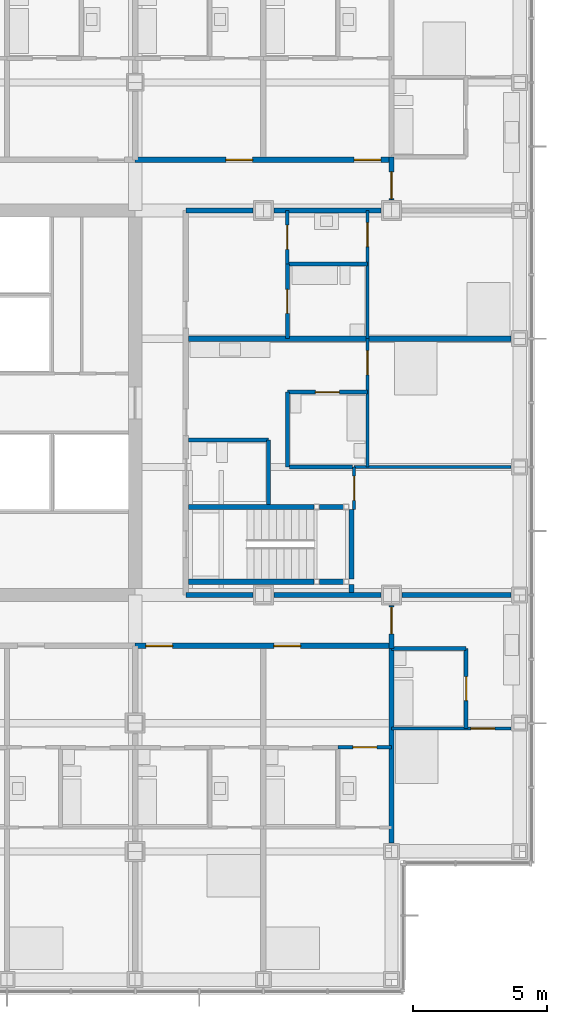
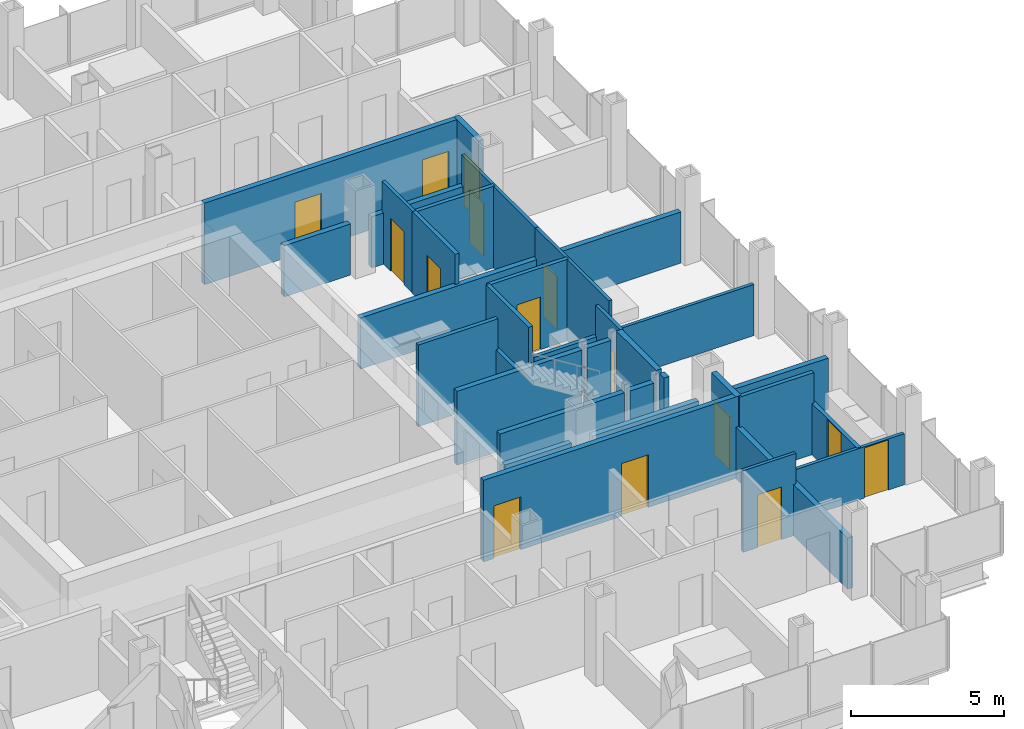
# One storey, part 17 of 22: 33 walls, 15 doors, 15 openings.
"""IFC4 building model written with IfcOpenShell, lengths in metres."""

from ifc_helpers import new_model, si_unit, direction, frame, frame_2d, origin, place, context, subcontext, project, spatial, rectangle, extrude, material, layer, layer_set, type_object, element, fill, save


model = new_model("IFC4")

# Units and contexts
model_context = context("Model", 3, precision=1e-05, world=origin(), true_north=direction((0.0, 1.0)))
body_context = subcontext(model_context, "Body", "Model", "MODEL_VIEW")
ifc_project = project(units=[si_unit("LENGTHUNIT", "METRE"), si_unit("AREAUNIT", "SQUARE_METRE"), si_unit("VOLUMEUNIT", "CUBIC_METRE"), si_unit("PLANEANGLEUNIT", "RADIAN"), si_unit("MASSUNIT", "GRAM", prefix="KILO")], contexts=[model_context])

# Site, building, storey
site_placement = place(None, origin())
site = spatial("IfcSite", under=ifc_project, at=site_placement, CompositionType="ELEMENT")
building_placement = place(site_placement, origin())
building = spatial("IfcBuilding", under=site, at=building_placement, Name="Kvirike Care Tower", CompositionType="ELEMENT")
storey_placement = place(building_placement, frame((0.0, 0.0, 76.0)))
storey = spatial("IfcBuildingStorey", under=building, at=storey_placement, Name="L20", CompositionType="ELEMENT", Elevation=76.0)

# Wall, opening, door
ifc_material_1 = material(Name="Moisture-resistant board partition", Category="gypsum")
ifc_layer_1 = layer(ifc_material_1, 0.14990234375)
ifc_layer_set_1 = layer_set([ifc_layer_1], Name="BATHROOM WALL 150")
wall_type_1 = type_object("IfcWallType", Name="BATHROOM WALL 150", PredefinedType="PARTITIONING", material=ifc_layer_set_1)
wall_1_placement = place(storey_placement, frame((41.199951171875, 23.800048828125, 0.0), z_axis=(0.0, 0.0, 1.0), x_axis=(0.0, 1.0, 0.0)))
wall_1 = element("IfcWall", 1, at=wall_1_placement, inside=storey, type_object=wall_type_1, Name="Bathroom Wall 150 L20", PredefinedType="PARTITIONING", context=body_context, shape_type="SweptSolid", body=[
    extrude(rectangle(XDim=3.0, YDim=0.14990234375, at=frame_2d((1.5, 0.0))), origin(), (0.0, 0.0, 1.0), 2.0400390625),
])
opening_1_placement = place(wall_1_placement, frame((1.050048828125, 0.0, 0.0)))
opening_1 = element("IfcOpeningElement", 2, at=opening_1_placement, cuts=wall_1, Name="Opening 20-061", PredefinedType="OPENING", context=body_context, shape_type="SweptSolid", body=[
    extrude(rectangle(XDim=0.89990234375, YDim=2.0, at=frame_2d((0.449951171875, 1.0))), frame((0.0, 0.08544921875, 0.0), z_axis=(0.0, -1.0, 0.0), x_axis=(1.0, 0.0, 0.0)), (0.0, 0.0, 1.0), 0.1708984375),
])
ifc_material_2 = material(Name="Timber door set", Category="wood")
door_type_1 = type_object("IfcDoorType", Name="BATHROOM DOOR 900 x 2000", OperationType="SINGLE_SWING_RIGHT", PredefinedType="DOOR", material=ifc_material_2)
door_1_placement = place(opening_1_placement, origin())
door_1 = element("IfcDoor", 3, at=door_1_placement, inside=storey, type_object=door_type_1, Name="Bathroom door", OperationType="SINGLE_SWING_RIGHT", OverallHeight=2.0, OverallWidth=0.89990234375, PredefinedType="DOOR", context=body_context, shape_type="SweptSolid", body=[
    extrude(rectangle(XDim=0.89990234375, YDim=2.0, at=frame_2d((0.449951171875, 1.0))), frame((0.0, 0.02197265625, 0.0), z_axis=(0.0, -1.0, 0.0), x_axis=(1.0, 0.0, 0.0)), (0.0, 0.0, 1.0), 0.0439453125),
])
fill(opening_1, door_1)

# Walls
wall_2_placement = place(storey_placement, frame((38.39990234375, 26.800048828125, 0.0), z_axis=(0.0, 0.0, 1.0), x_axis=(1.0, 0.0, 0.0)))
element("IfcWall", 4, at=wall_2_placement, inside=storey, type_object=wall_type_1, Name="Bathroom Wall 150 L20", PredefinedType="PARTITIONING", context=body_context, shape_type="SweptSolid", body=[
    extrude(rectangle(XDim=2.800048828125, YDim=0.14990234375, at=frame_2d((1.39990234375, 0.0))), origin(), (0.0, 0.0, 1.0), 3.25),
])
wall_3_placement = place(storey_placement, frame((33.800048828125, 32.199951171875, 0.0), z_axis=(0.0, 0.0, 1.0), x_axis=(0.0, 1.0, 0.0)))
element("IfcWall", 5, at=wall_3_placement, inside=storey, type_object=wall_type_1, Name="Bathroom Wall 150 L20", PredefinedType="PARTITIONING", context=body_context, shape_type="SweptSolid", body=[
    extrude(rectangle(XDim=2.400146484375, YDim=0.14990234375, at=frame_2d((1.2001953125, 0.0))), origin(), (0.0, 0.0, 1.0), 2.0400390625),
])
wall_4_placement = place(storey_placement, frame((33.800048828125, 34.60009765625, 0.0), z_axis=(0.0, 0.0, 1.0), x_axis=(-1.0, 0.0, 0.0)))
element("IfcWall", 6, at=wall_4_placement, inside=storey, type_object=wall_type_1, Name="Bathroom Wall 150 L20", PredefinedType="PARTITIONING", context=body_context, shape_type="SweptSolid", body=[
    extrude(rectangle(XDim=3.0, YDim=0.14990234375, at=frame_2d((1.5, 0.0))), origin(), (0.0, 0.0, 1.0), 3.25),
])

# Wall, opening, door
wall_5_placement = place(storey_placement, frame((37.5, 36.39990234375, 0.0), z_axis=(0.0, 0.0, 1.0), x_axis=(-1.0, 0.0, 0.0)))
wall_5 = element("IfcWall", 7, at=wall_5_placement, inside=storey, type_object=wall_type_1, Name="Bathroom Wall 150 L20", PredefinedType="PARTITIONING", context=body_context, shape_type="SweptSolid", body=[
    extrude(rectangle(XDim=3.0, YDim=0.14990234375, at=frame_2d((1.5, 0.0))), origin(), (0.0, 0.0, 1.0), 3.25),
])
opening_2_placement = place(wall_5_placement, frame((1.050048828125, 0.0, 0.0)))
opening_2 = element("IfcOpeningElement", 8, at=opening_2_placement, cuts=wall_5, Name="Opening 20-066", PredefinedType="OPENING", context=body_context, shape_type="SweptSolid", body=[
    extrude(rectangle(XDim=0.89990234375, YDim=2.10009765625, at=frame_2d((0.449951171875, 1.050048828125))), frame((0.0, 0.08544921875, 0.0), z_axis=(0.0, -1.0, 0.0), x_axis=(1.0, 0.0, 0.0)), (0.0, 0.0, 1.0), 0.1708984375),
])
ifc_material_3 = material(Name="Timber door set", Category="wood")
door_type_2 = type_object("IfcDoorType", Name="BATHROOM DOOR 900", OperationType="SINGLE_SWING_RIGHT", PredefinedType="DOOR", material=ifc_material_3)
door_2_placement = place(opening_2_placement, origin())
door_2 = element("IfcDoor", 9, at=door_2_placement, inside=storey, type_object=door_type_2, Name="Bathroom door", OperationType="SINGLE_SWING_LEFT", OverallHeight=2.10009765625, OverallWidth=0.89990234375, PredefinedType="DOOR", context=body_context, shape_type="SweptSolid", body=[
    extrude(rectangle(XDim=0.89990234375, YDim=2.10009765625, at=frame_2d((0.449951171875, 1.050048828125))), frame((0.0, 0.02197265625, 0.0), z_axis=(0.0, -1.0, 0.0), x_axis=(1.0, 0.0, 0.0)), (0.0, 0.0, 1.0), 0.0439453125),
])
fill(opening_2, door_2)

# Walls
wall_6_placement = place(storey_placement, frame((34.5, 33.60009765625, 0.0), z_axis=(0.0, 0.0, 1.0), x_axis=(0.0, 1.0, 0.0)))
element("IfcWall", 10, at=wall_6_placement, inside=storey, type_object=wall_type_1, Name="Bathroom Wall 150 L20", PredefinedType="PARTITIONING", context=body_context, shape_type="SweptSolid", body=[
    extrude(rectangle(XDim=2.7998046875, YDim=0.14990234375, at=frame_2d((1.39990234375, 0.0))), origin(), (0.0, 0.0, 1.0), 3.25),
])
wall_7_placement = place(storey_placement, frame((37.5, 41.199951171875, 0.0), z_axis=(0.0, 0.0, 1.0), x_axis=(-1.0, 0.0, 0.0)))
element("IfcWall", 11, at=wall_7_placement, inside=storey, type_object=wall_type_1, Name="Bathroom Wall 150 L20", PredefinedType="PARTITIONING", context=body_context, shape_type="SweptSolid", body=[
    extrude(rectangle(XDim=3.0, YDim=0.14990234375, at=frame_2d((1.5, 0.0))), origin(), (0.0, 0.0, 1.0), 3.25),
])

# Wall, opening, door
wall_8_placement = place(storey_placement, frame((34.5, 38.39990234375, 0.0), z_axis=(0.0, 0.0, 1.0), x_axis=(0.0, 1.0, 0.0)))
wall_8 = element("IfcWall", 12, at=wall_8_placement, inside=storey, type_object=wall_type_1, Name="Bathroom Wall 150 L20", PredefinedType="PARTITIONING", context=body_context, shape_type="SweptSolid", body=[
    extrude(rectangle(XDim=2.800048828125, YDim=0.14990234375, at=frame_2d((1.39990234375, 0.0))), origin(), (0.0, 0.0, 1.0), 3.25),
])
opening_3_placement = place(wall_8_placement, frame((0.949951171875, 0.0, 0.0)))
opening_3 = element("IfcOpeningElement", 13, at=opening_3_placement, cuts=wall_8, Name="Opening 20-069", PredefinedType="OPENING", context=body_context, shape_type="SweptSolid", body=[
    extrude(rectangle(XDim=0.89990234375, YDim=2.10009765625, at=frame_2d((0.449951171875, 1.050048828125))), frame((0.0, 0.08544921875, 0.0), z_axis=(0.0, -1.0, 0.0), x_axis=(1.0, 0.0, 0.0)), (0.0, 0.0, 1.0), 0.1708984375),
])
door_3_placement = place(opening_3_placement, frame((0.89990234375, 0.0, 0.0), z_axis=(0.0, 0.0, 1.0), x_axis=(-1.0, 0.0, 0.0)))
door_3 = element("IfcDoor", 14, at=door_3_placement, inside=storey, type_object=door_type_2, Name="Bathroom door", OperationType="SINGLE_SWING_LEFT", OverallHeight=2.10009765625, OverallWidth=0.89990234375, PredefinedType="DOOR", context=body_context, shape_type="SweptSolid", body=[
    extrude(rectangle(XDim=0.89990234375, YDim=2.10009765625, at=frame_2d((0.449951171875, 1.050048828125))), frame((0.0, 0.02197265625, 0.0), z_axis=(0.0, -1.0, 0.0), x_axis=(1.0, 0.0, 0.0)), (0.0, 0.0, 1.0), 0.0439453125),
])
fill(opening_3, door_3)

# Wall
wall_9_placement = place(storey_placement, frame((36.93994140625, 33.60009765625, 0.0), z_axis=(0.0, 0.0, 1.0), x_axis=(-1.0, 0.0, 0.0)))
element("IfcWall", 15, at=wall_9_placement, inside=storey, type_object=wall_type_1, Name="Bathroom Wall 150 L20", PredefinedType="PARTITIONING", context=body_context, shape_type="SweptSolid", body=[
    extrude(rectangle(XDim=2.364990234375, YDim=0.14990234375, at=frame_2d((1.1826171875, 0.0))), origin(), (0.0, 0.0, 1.0), 2.0400390625),
])

# Wall, openings, doors
ifc_material_4 = material(Name="Plasterboard corridor wall", Category="gypsum")
ifc_layer_2 = layer(ifc_material_4, 0.199951171875)
ifc_layer_set_2 = layer_set([ifc_layer_2], Name="CORRIDOR WALL 200")
wall_type_2 = type_object("IfcWallType", Name="CORRIDOR WALL 200", PredefinedType="PARTITIONING", material=ifc_layer_set_2)
wall_10_placement = place(storey_placement, frame((28.800048828125, 26.89990234375, 0.0), z_axis=(0.0, 0.0, 1.0), x_axis=(1.0, 0.0, 0.0)))
wall_10 = element("IfcWall", 16, at=wall_10_placement, inside=storey, type_object=wall_type_2, Name="Corridor Wall 200 L20", PredefinedType="PARTITIONING", context=body_context, shape_type="SweptSolid", body=[
    extrude(rectangle(XDim=9.599853515625, YDim=0.199951171875, at=frame_2d((4.7998046875, 0.0))), origin(), (0.0, 0.0, 1.0), 3.25),
])
opening_4_placement = place(wall_10_placement, frame((0.39990234375, 0.0, 0.0)))
opening_4 = element("IfcOpeningElement", 17, at=opening_4_placement, cuts=wall_10, Name="Opening 20-063", PredefinedType="OPENING", context=body_context, shape_type="SweptSolid", body=[
    extrude(rectangle(XDim=1.0, YDim=2.10009765625, at=frame_2d((0.5, 1.050048828125))), frame((0.0, 0.110595703125, 0.0), z_axis=(0.0, -1.0, 0.0), x_axis=(1.0, 0.0, 0.0)), (0.0, 0.0, 1.0), 0.220947265625),
])
opening_5_placement = place(wall_10_placement, frame((5.199951171875, 0.0, 0.0)))
opening_5 = element("IfcOpeningElement", 18, at=opening_5_placement, cuts=wall_10, Name="Opening 20-064", PredefinedType="OPENING", context=body_context, shape_type="SweptSolid", body=[
    extrude(rectangle(XDim=1.0, YDim=2.10009765625, at=frame_2d((0.5, 1.050048828125))), frame((0.0, 0.110595703125, 0.0), z_axis=(0.0, -1.0, 0.0), x_axis=(1.0, 0.0, 0.0)), (0.0, 0.0, 1.0), 0.220947265625),
])
ifc_material_5 = material(Name="Timber door set", Category="wood")
door_type_3 = type_object("IfcDoorType", Name="FLAT ENTRANCE DOOR 1000", OperationType="SINGLE_SWING_LEFT", PredefinedType="DOOR", material=ifc_material_5)
door_4_placement = place(opening_4_placement, frame((1.0, 0.0, 0.0), z_axis=(0.0, 0.0, 1.0), x_axis=(-1.0, 0.0, 0.0)))
door_4 = element("IfcDoor", 19, at=door_4_placement, inside=storey, type_object=door_type_3, Name="Studio apartment entrance", OperationType="SINGLE_SWING_RIGHT", OverallHeight=2.10009765625, OverallWidth=1.0, PredefinedType="DOOR", context=body_context, shape_type="SweptSolid", body=[
    extrude(rectangle(XDim=1.0, YDim=2.10009765625, at=frame_2d((0.5, 1.050048828125))), frame((0.0, 0.02685546875, 0.0), z_axis=(0.0, -1.0, 0.0), x_axis=(1.0, 0.0, 0.0)), (0.0, 0.0, 1.0), 0.053955078125),
])
fill(opening_4, door_4)
door_5_placement = place(opening_5_placement, frame((1.0, 0.0, 0.0), z_axis=(0.0, 0.0, 1.0), x_axis=(-1.0, 0.0, 0.0)))
door_5 = element("IfcDoor", 20, at=door_5_placement, inside=storey, type_object=door_type_3, Name="Studio apartment entrance", OperationType="SINGLE_SWING_LEFT", OverallHeight=2.10009765625, OverallWidth=1.0, PredefinedType="DOOR", context=body_context, shape_type="SweptSolid", body=[
    extrude(rectangle(XDim=1.0, YDim=2.10009765625, at=frame_2d((0.5, 1.050048828125))), frame((0.0, 0.02685546875, 0.0), z_axis=(0.0, -1.0, 0.0), x_axis=(1.0, 0.0, 0.0)), (0.0, 0.0, 1.0), 0.053955078125),
])
fill(opening_5, door_5)

# Wall, opening, door
wall_11_placement = place(storey_placement, frame((38.39990234375, 26.800048828125, 0.0), z_axis=(0.0, 0.0, 1.0), x_axis=(0.0, 1.0, 0.0)))
wall_11 = element("IfcWall", 21, at=wall_11_placement, inside=storey, type_object=wall_type_2, Name="Corridor Wall 200 L20", PredefinedType="PARTITIONING", context=body_context, shape_type="SweptSolid", body=[
    extrude(rectangle(XDim=1.60498046875, YDim=0.199951171875, at=frame_2d((0.802490234375, 0.0))), origin(), (0.0, 0.0, 1.0), 3.25),
])
opening_6_placement = place(wall_11_placement, frame((0.550048828125, 0.0, 0.0)))
opening_6 = element("IfcOpeningElement", 22, at=opening_6_placement, cuts=wall_11, Name="Opening 20-065", PredefinedType="OPENING", context=body_context, shape_type="SweptSolid", body=[
    extrude(rectangle(XDim=1.0, YDim=2.10009765625, at=frame_2d((0.5, 1.050048828125))), frame((0.0, 0.110595703125, 0.0), z_axis=(0.0, -1.0, 0.0), x_axis=(1.0, 0.0, 0.0)), (0.0, 0.0, 1.0), 0.220947265625),
])
door_6_placement = place(opening_6_placement, frame((1.0, 0.0, 0.0), z_axis=(0.0, 0.0, 1.0), x_axis=(-1.0, 0.0, 0.0)))
door_6 = element("IfcDoor", 23, at=door_6_placement, inside=storey, type_object=door_type_3, Name="Studio apartment entrance", OperationType="SINGLE_SWING_RIGHT", OverallHeight=2.10009765625, OverallWidth=1.0, PredefinedType="DOOR", context=body_context, shape_type="SweptSolid", body=[
    extrude(rectangle(XDim=1.0, YDim=2.10009765625, at=frame_2d((0.5, 1.050048828125))), frame((0.0, 0.02685546875, 0.0), z_axis=(0.0, -1.0, 0.0), x_axis=(1.0, 0.0, 0.0)), (0.0, 0.0, 1.0), 0.053955078125),
])
fill(opening_6, door_6)

# Wall, openings, doors
wall_12_placement = place(storey_placement, frame((38.39990234375, 45.10009765625, 0.0), z_axis=(0.0, 0.0, 1.0), x_axis=(-1.0, 0.0, 0.0)))
wall_12 = element("IfcWall", 24, at=wall_12_placement, inside=storey, type_object=wall_type_2, Name="Corridor Wall 200 L20", PredefinedType="PARTITIONING", context=body_context, shape_type="SweptSolid", body=[
    extrude(rectangle(XDim=9.599853515625, YDim=0.199951171875, at=frame_2d((4.7998046875, 0.0))), origin(), (0.0, 0.0, 1.0), 3.25),
])
opening_7_placement = place(wall_12_placement, frame((0.39990234375, 0.0, 0.0)))
opening_7 = element("IfcOpeningElement", 25, at=opening_7_placement, cuts=wall_12, Name="Opening 20-084", PredefinedType="OPENING", context=body_context, shape_type="SweptSolid", body=[
    extrude(rectangle(XDim=1.0, YDim=2.10009765625, at=frame_2d((0.5, 1.050048828125))), frame((0.0, 0.110595703125, 0.0), z_axis=(0.0, -1.0, 0.0), x_axis=(1.0, 0.0, 0.0)), (0.0, 0.0, 1.0), 0.220947265625),
])
opening_8_placement = place(wall_12_placement, frame((5.199951171875, 0.0, 0.0)))
opening_8 = element("IfcOpeningElement", 26, at=opening_8_placement, cuts=wall_12, Name="Opening 20-085", PredefinedType="OPENING", context=body_context, shape_type="SweptSolid", body=[
    extrude(rectangle(XDim=1.0, YDim=2.10009765625, at=frame_2d((0.5, 1.050048828125))), frame((0.0, 0.110595703125, 0.0), z_axis=(0.0, -1.0, 0.0), x_axis=(1.0, 0.0, 0.0)), (0.0, 0.0, 1.0), 0.220947265625),
])
door_7_placement = place(opening_7_placement, frame((1.0, 0.0, 0.0), z_axis=(0.0, 0.0, 1.0), x_axis=(-1.0, 0.0, 0.0)))
door_7 = element("IfcDoor", 27, at=door_7_placement, inside=storey, type_object=door_type_3, Name="Studio apartment entrance", OperationType="SINGLE_SWING_LEFT", OverallHeight=2.10009765625, OverallWidth=1.0, PredefinedType="DOOR", context=body_context, shape_type="SweptSolid", body=[
    extrude(rectangle(XDim=1.0, YDim=2.10009765625, at=frame_2d((0.5, 1.050048828125))), frame((0.0, 0.02685546875, 0.0), z_axis=(0.0, -1.0, 0.0), x_axis=(1.0, 0.0, 0.0)), (0.0, 0.0, 1.0), 0.053955078125),
])
fill(opening_7, door_7)
door_8_placement = place(opening_8_placement, frame((1.0, 0.0, 0.0), z_axis=(0.0, 0.0, 1.0), x_axis=(-1.0, 0.0, 0.0)))
door_8 = element("IfcDoor", 28, at=door_8_placement, inside=storey, type_object=door_type_3, Name="Studio apartment entrance", OperationType="SINGLE_SWING_LEFT", OverallHeight=2.10009765625, OverallWidth=1.0, PredefinedType="DOOR", context=body_context, shape_type="SweptSolid", body=[
    extrude(rectangle(XDim=1.0, YDim=2.10009765625, at=frame_2d((0.5, 1.050048828125))), frame((0.0, 0.02685546875, 0.0), z_axis=(0.0, -1.0, 0.0), x_axis=(1.0, 0.0, 0.0)), (0.0, 0.0, 1.0), 0.053955078125),
])
fill(opening_8, door_8)

# Wall, opening, door
wall_13_placement = place(storey_placement, frame((38.39990234375, 45.199951171875, 0.0), z_axis=(0.0, 0.0, 1.0), x_axis=(0.0, -1.0, 0.0)))
wall_13 = element("IfcWall", 29, at=wall_13_placement, inside=storey, type_object=wall_type_2, Name="Corridor Wall 200 L20", PredefinedType="PARTITIONING", context=body_context, shape_type="SweptSolid", body=[
    extrude(rectangle(XDim=1.60498046875, YDim=0.199951171875, at=frame_2d((0.802490234375, 0.0))), origin(), (0.0, 0.0, 1.0), 3.25),
])
opening_9_placement = place(wall_13_placement, frame((0.550048828125, 0.0, 0.0)))
opening_9 = element("IfcOpeningElement", 30, at=opening_9_placement, cuts=wall_13, Name="Opening 20-086", PredefinedType="OPENING", context=body_context, shape_type="SweptSolid", body=[
    extrude(rectangle(XDim=1.0, YDim=2.10009765625, at=frame_2d((0.5, 1.050048828125))), frame((0.0, 0.110595703125, 0.0), z_axis=(0.0, -1.0, 0.0), x_axis=(1.0, 0.0, 0.0)), (0.0, 0.0, 1.0), 0.220947265625),
])
door_9_placement = place(opening_9_placement, origin())
door_9 = element("IfcDoor", 31, at=door_9_placement, inside=storey, type_object=door_type_3, Name="Studio apartment entrance", OperationType="SINGLE_SWING_LEFT", OverallHeight=2.10009765625, OverallWidth=1.0, PredefinedType="DOOR", context=body_context, shape_type="SweptSolid", body=[
    extrude(rectangle(XDim=1.0, YDim=2.10009765625, at=frame_2d((0.5, 1.050048828125))), frame((0.0, 0.02685546875, 0.0), z_axis=(0.0, -1.0, 0.0), x_axis=(1.0, 0.0, 0.0)), (0.0, 0.0, 1.0), 0.053955078125),
])
fill(opening_9, door_9)

ifc_material_6 = material(Name="Plasterboard partition", Category="gypsum")
ifc_layer_3 = layer(ifc_material_6, 0.1201171875)
ifc_layer_set_3 = layer_set([ifc_layer_3], Name="PARTITION 120")
wall_type_3 = type_object("IfcWallType", Name="PARTITION 120", PredefinedType="PARTITIONING", material=ifc_layer_set_3)
wall_14_placement = place(storey_placement, frame((36.39990234375, 23.10009765625, 0.0), z_axis=(0.0, 0.0, 1.0), x_axis=(1.0, 0.0, 0.0)))
wall_14 = element("IfcWall", 32, at=wall_14_placement, inside=storey, type_object=wall_type_3, Name="Partition 120 L20", PredefinedType="PARTITIONING", context=body_context, shape_type="SweptSolid", body=[
    extrude(rectangle(XDim=2.0, YDim=0.1201171875, at=frame_2d((1.0, 0.0))), origin(), (0.0, 0.0, 1.0), 3.25),
])
opening_10_placement = place(wall_14_placement, frame((0.550048828125, 0.0, 0.0)))
opening_10 = element("IfcOpeningElement", 33, at=opening_10_placement, cuts=wall_14, Name="Opening 20-059", PredefinedType="OPENING", context=body_context, shape_type="SweptSolid", body=[
    extrude(rectangle(XDim=0.89990234375, YDim=2.10009765625, at=frame_2d((0.449951171875, 1.050048828125))), frame((0.0, 0.070556640625, 0.0), z_axis=(0.0, -1.0, 0.0), x_axis=(1.0, 0.0, 0.0)), (0.0, 0.0, 1.0), 0.14111328125),
])
ifc_material_7 = material(Name="Timber door set", Category="wood")
door_type_4 = type_object("IfcDoorType", Name="INTERNAL DOOR 900", OperationType="SINGLE_SWING_LEFT", PredefinedType="DOOR", material=ifc_material_7)
door_10_placement = place(opening_10_placement, frame((0.89990234375, 0.0, 0.0), z_axis=(0.0, 0.0, 1.0), x_axis=(-1.0, 0.0, 0.0)))
door_10 = element("IfcDoor", 34, at=door_10_placement, inside=storey, type_object=door_type_4, Name="Kitchen door", OperationType="SINGLE_SWING_RIGHT", OverallHeight=2.10009765625, OverallWidth=0.89990234375, PredefinedType="DOOR", context=body_context, shape_type="SweptSolid", body=[
    extrude(rectangle(XDim=0.89990234375, YDim=2.10009765625, at=frame_2d((0.449951171875, 1.050048828125))), frame((0.0, 0.02197265625, 0.0), z_axis=(0.0, -1.0, 0.0), x_axis=(1.0, 0.0, 0.0)), (0.0, 0.0, 1.0), 0.0439453125),
])
fill(opening_10, door_10)

wall_15_placement = place(storey_placement, frame((38.39990234375, 23.800048828125, 0.0), z_axis=(0.0, 0.0, 1.0), x_axis=(1.0, 0.0, 0.0)))
wall_15 = element("IfcWall", 35, at=wall_15_placement, inside=storey, type_object=wall_type_3, Name="Partition 120 L20", PredefinedType="PARTITIONING", context=body_context, shape_type="SweptSolid", body=[
    extrude(rectangle(XDim=4.47998046875, YDim=0.1201171875, at=frame_2d((2.239990234375, 0.0))), origin(), (0.0, 0.0, 1.0), 2.0400390625),
])
opening_11_placement = place(wall_15_placement, frame((2.97509765625, 0.0, 0.0)))
opening_11 = element("IfcOpeningElement", 36, at=opening_11_placement, cuts=wall_15, Name="Opening 20-062", PredefinedType="OPENING", context=body_context, shape_type="SweptSolid", body=[
    extrude(rectangle(XDim=0.89990234375, YDim=2.0, at=frame_2d((0.449951171875, 1.0))), frame((0.0, 0.070556640625, 0.0), z_axis=(0.0, -1.0, 0.0), x_axis=(1.0, 0.0, 0.0)), (0.0, 0.0, 1.0), 0.14111328125),
])
ifc_material_8 = material(Name="Timber door set", Category="wood")
door_type_5 = type_object("IfcDoorType", Name="INTERNAL DOOR 900 x 2000", OperationType="SINGLE_SWING_LEFT", PredefinedType="DOOR", material=ifc_material_8)
door_11_placement = place(opening_11_placement, origin())
door_11 = element("IfcDoor", 37, at=door_11_placement, inside=storey, type_object=door_type_5, Name="Studio apartment living room door", OperationType="SINGLE_SWING_RIGHT", OverallHeight=2.0, OverallWidth=0.89990234375, PredefinedType="DOOR", context=body_context, shape_type="SweptSolid", body=[
    extrude(rectangle(XDim=0.89990234375, YDim=2.0, at=frame_2d((0.449951171875, 1.0))), frame((0.0, 0.02197265625, 0.0), z_axis=(0.0, -1.0, 0.0), x_axis=(1.0, 0.0, 0.0)), (0.0, 0.0, 1.0), 0.0439453125),
])
fill(opening_11, door_11)

wall_16_placement = place(storey_placement, frame((37.0, 32.0, 0.0), z_axis=(0.0, 0.0, 1.0), x_axis=(0.0, 1.0, 0.0)))
wall_16 = element("IfcWall", 38, at=wall_16_placement, inside=storey, type_object=wall_type_3, Name="Partition 120 L20", PredefinedType="PARTITIONING", context=body_context, shape_type="SweptSolid", body=[
    extrude(rectangle(XDim=1.60009765625, YDim=0.1201171875, at=frame_2d((0.800048828125, 0.0))), origin(), (0.0, 0.0, 1.0), 3.25),
])
opening_12_placement = place(wall_16_placement, frame((0.35009765625, 0.0, 0.0)))
opening_12 = element("IfcOpeningElement", 39, at=opening_12_placement, cuts=wall_16, Name="Opening 20-067", PredefinedType="OPENING", context=body_context, shape_type="SweptSolid", body=[
    extrude(rectangle(XDim=0.89990234375, YDim=2.10009765625, at=frame_2d((0.449951171875, 1.050048828125))), frame((0.0, 0.070556640625, 0.0), z_axis=(0.0, -1.0, 0.0), x_axis=(1.0, 0.0, 0.0)), (0.0, 0.0, 1.0), 0.14111328125),
])
door_12_placement = place(opening_12_placement, origin())
door_12 = element("IfcDoor", 40, at=door_12_placement, inside=storey, type_object=door_type_4, Name="Apartment living room door", OperationType="SINGLE_SWING_RIGHT", OverallHeight=2.10009765625, OverallWidth=0.89990234375, PredefinedType="DOOR", context=body_context, shape_type="SweptSolid", body=[
    extrude(rectangle(XDim=0.89990234375, YDim=2.10009765625, at=frame_2d((0.449951171875, 1.050048828125))), frame((0.0, 0.02197265625, 0.0), z_axis=(0.0, -1.0, 0.0), x_axis=(1.0, 0.0, 0.0)), (0.0, 0.0, 1.0), 0.0439453125),
])
fill(opening_12, door_12)

wall_17_placement = place(storey_placement, frame((37.5, 33.60009765625, 0.0), z_axis=(0.0, 0.0, 1.0), x_axis=(0.0, 1.0, 0.0)))
wall_17 = element("IfcWall", 41, at=wall_17_placement, inside=storey, type_object=wall_type_3, Name="Partition 120 L20", PredefinedType="PARTITIONING", context=body_context, shape_type="SweptSolid", body=[
    extrude(rectangle(XDim=4.7998046875, YDim=0.1201171875, at=frame_2d((2.39990234375, 0.0))), origin(), (0.0, 0.0, 1.0), 3.25),
])
opening_13_placement = place(wall_17_placement, frame((3.449951171875, 0.0, 0.0)))
opening_13 = element("IfcOpeningElement", 42, at=opening_13_placement, cuts=wall_17, Name="Opening 20-068", PredefinedType="OPENING", context=body_context, shape_type="SweptSolid", body=[
    extrude(rectangle(XDim=0.89990234375, YDim=2.10009765625, at=frame_2d((0.449951171875, 1.050048828125))), frame((0.0, 0.070556640625, 0.0), z_axis=(0.0, -1.0, 0.0), x_axis=(1.0, 0.0, 0.0)), (0.0, 0.0, 1.0), 0.14111328125),
])
door_13_placement = place(opening_13_placement, origin())
door_13 = element("IfcDoor", 43, at=door_13_placement, inside=storey, type_object=door_type_4, Name="Apartment bedroom door", OperationType="SINGLE_SWING_LEFT", OverallHeight=2.10009765625, OverallWidth=0.89990234375, PredefinedType="DOOR", context=body_context, shape_type="SweptSolid", body=[
    extrude(rectangle(XDim=0.89990234375, YDim=2.10009765625, at=frame_2d((0.449951171875, 1.050048828125))), frame((0.0, 0.02197265625, 0.0), z_axis=(0.0, -1.0, 0.0), x_axis=(1.0, 0.0, 0.0)), (0.0, 0.0, 1.0), 0.0439453125),
])
fill(opening_13, door_13)

# Wall
wall_18_placement = place(storey_placement, frame((42.8798828125, 33.60009765625, 0.0), z_axis=(0.0, 0.0, 1.0), x_axis=(-1.0, 0.0, 0.0)))
element("IfcWall", 44, at=wall_18_placement, inside=storey, type_object=wall_type_3, Name="Partition 120 L20", PredefinedType="PARTITIONING", context=body_context, shape_type="SweptSolid", body=[
    extrude(rectangle(XDim=5.8798828125, YDim=0.1201171875, at=frame_2d((2.93994140625, 0.0))), origin(), (0.0, 0.0, 1.0), 2.0400390625),
])

# Wall, opening, door
wall_19_placement = place(storey_placement, frame((34.5, 41.199951171875, 0.0), z_axis=(0.0, 0.0, 1.0), x_axis=(0.0, 1.0, 0.0)))
wall_19 = element("IfcWall", 45, at=wall_19_placement, inside=storey, type_object=wall_type_3, Name="Partition 120 L20", PredefinedType="PARTITIONING", context=body_context, shape_type="SweptSolid", body=[
    extrude(rectangle(XDim=2.0, YDim=0.1201171875, at=frame_2d((1.0, 0.0))), origin(), (0.0, 0.0, 1.0), 3.25),
])
opening_14_placement = place(wall_19_placement, frame((0.550048828125, 0.0, 0.0)))
opening_14 = element("IfcOpeningElement", 46, at=opening_14_placement, cuts=wall_19, Name="Opening 20-070", PredefinedType="OPENING", context=body_context, shape_type="SweptSolid", body=[
    extrude(rectangle(XDim=0.89990234375, YDim=2.10009765625, at=frame_2d((0.449951171875, 1.050048828125))), frame((0.0, 0.070556640625, 0.0), z_axis=(0.0, -1.0, 0.0), x_axis=(1.0, 0.0, 0.0)), (0.0, 0.0, 1.0), 0.14111328125),
])
door_14_placement = place(opening_14_placement, frame((0.89990234375, 0.0, 0.0), z_axis=(0.0, 0.0, 1.0), x_axis=(-1.0, 0.0, 0.0)))
door_14 = element("IfcDoor", 47, at=door_14_placement, inside=storey, type_object=door_type_4, Name="Kitchen door", OperationType="SINGLE_SWING_LEFT", OverallHeight=2.10009765625, OverallWidth=0.89990234375, PredefinedType="DOOR", context=body_context, shape_type="SweptSolid", body=[
    extrude(rectangle(XDim=0.89990234375, YDim=2.10009765625, at=frame_2d((0.449951171875, 1.050048828125))), frame((0.0, 0.02197265625, 0.0), z_axis=(0.0, -1.0, 0.0), x_axis=(1.0, 0.0, 0.0)), (0.0, 0.0, 1.0), 0.0439453125),
])
fill(opening_14, door_14)

wall_20_placement = place(storey_placement, frame((37.5, 38.39990234375, 0.0), z_axis=(0.0, 0.0, 1.0), x_axis=(0.0, 1.0, 0.0)))
wall_20 = element("IfcWall", 48, at=wall_20_placement, inside=storey, type_object=wall_type_3, Name="Partition 120 L20", PredefinedType="PARTITIONING", context=body_context, shape_type="SweptSolid", body=[
    extrude(rectangle(XDim=4.800048828125, YDim=0.1201171875, at=frame_2d((2.39990234375, 0.0))), origin(), (0.0, 0.0, 1.0), 3.25),
])
opening_15_placement = place(wall_20_placement, frame((3.449951171875, 0.0, 0.0)))
opening_15 = element("IfcOpeningElement", 49, at=opening_15_placement, cuts=wall_20, Name="Opening 20-071", PredefinedType="OPENING", context=body_context, shape_type="SweptSolid", body=[
    extrude(rectangle(XDim=0.89990234375, YDim=2.10009765625, at=frame_2d((0.449951171875, 1.050048828125))), frame((0.0, 0.070556640625, 0.0), z_axis=(0.0, -1.0, 0.0), x_axis=(1.0, 0.0, 0.0)), (0.0, 0.0, 1.0), 0.14111328125),
])
door_15_placement = place(opening_15_placement, origin())
door_15 = element("IfcDoor", 50, at=door_15_placement, inside=storey, type_object=door_type_4, Name="Studio apartment living room door", OperationType="SINGLE_SWING_LEFT", OverallHeight=2.10009765625, OverallWidth=0.89990234375, PredefinedType="DOOR", context=body_context, shape_type="SweptSolid", body=[
    extrude(rectangle(XDim=0.89990234375, YDim=2.10009765625, at=frame_2d((0.449951171875, 1.050048828125))), frame((0.0, 0.02197265625, 0.0), z_axis=(0.0, -1.0, 0.0), x_axis=(1.0, 0.0, 0.0)), (0.0, 0.0, 1.0), 0.0439453125),
])
fill(opening_15, door_15)

# Walls
ifc_material_9 = material(Name="Plasterboard party wall", Category="gypsum")
ifc_layer_4 = layer(ifc_material_9, 0.199951171875)
ifc_layer_set_4 = layer_set([ifc_layer_4], Name="PARTY WALL 200")
wall_type_4 = type_object("IfcWallType", Name="PARTY WALL 200", PredefinedType="PARTITIONING", material=ifc_layer_set_4)
wall_21_placement = place(storey_placement, frame((38.39990234375, 19.52001953125, 0.0), z_axis=(0.0, 0.0, 1.0), x_axis=(0.0, 1.0, 0.0)))
element("IfcWall", 51, at=wall_21_placement, inside=storey, type_object=wall_type_4, Name="Party Wall 200 L20", PredefinedType="PARTITIONING", context=body_context, shape_type="SweptSolid", body=[
    extrude(rectangle(XDim=7.280029296875, YDim=0.199951171875, at=frame_2d((3.64013671875, 0.0))), origin(), (0.0, 0.0, 1.0), 2.0400390625),
])
wall_22_placement = place(storey_placement, frame((42.8798828125, 38.39990234375, 0.0), z_axis=(0.0, 0.0, 1.0), x_axis=(-1.0, 0.0, 0.0)))
element("IfcWall", 52, at=wall_22_placement, inside=storey, type_object=wall_type_4, Name="Party Wall 200 L20", PredefinedType="PARTITIONING", context=body_context, shape_type="SweptSolid", body=[
    extrude(rectangle(XDim=12.079833984375, YDim=0.199951171875, at=frame_2d((6.0400390625, 0.0))), origin(), (0.0, 0.0, 1.0), 2.0400390625),
])
wall_23_placement = place(storey_placement, frame((42.8798828125, 28.800048828125, 0.0), z_axis=(0.0, 0.0, 1.0), x_axis=(-1.0, 0.0, 0.0)))
element("IfcWall", 53, at=wall_23_placement, inside=storey, type_object=wall_type_4, Name="Party Wall 200 L20", PredefinedType="PARTITIONING", context=body_context, shape_type="SweptSolid", body=[
    extrude(rectangle(XDim=4.0849609375, YDim=0.199951171875, at=frame_2d((2.04248046875, 0.0))), origin(), (0.0, 0.0, 1.0), 2.0400390625),
])
wall_24_placement = place(storey_placement, frame((38.0048828125, 28.800048828125, 0.0), z_axis=(0.0, 0.0, 1.0), x_axis=(-1.0, 0.0, 0.0)))
element("IfcWall", 54, at=wall_24_placement, inside=storey, type_object=wall_type_4, Name="Party Wall 200 L20", PredefinedType="PARTITIONING", context=body_context, shape_type="SweptSolid", body=[
    extrude(rectangle(XDim=4.009765625, YDim=0.199951171875, at=frame_2d((2.0048828125, 0.0))), origin(), (0.0, 0.0, 1.0), 2.0400390625),
])
wall_25_placement = place(storey_placement, frame((33.205078125, 28.800048828125, 0.0), z_axis=(0.0, 0.0, 1.0), x_axis=(-1.0, 0.0, 0.0)))
element("IfcWall", 55, at=wall_25_placement, inside=storey, type_object=wall_type_4, Name="Party Wall 200 L20", PredefinedType="PARTITIONING", context=body_context, shape_type="SweptSolid", body=[
    extrude(rectangle(XDim=2.505126953125, YDim=0.199951171875, at=frame_2d((1.25244140625, 0.0))), origin(), (0.0, 0.0, 1.0), 2.0400390625),
])
wall_26_placement = place(storey_placement, frame((38.0048828125, 43.199951171875, 0.0), z_axis=(0.0, 0.0, 1.0), x_axis=(-1.0, 0.0, 0.0)))
element("IfcWall", 56, at=wall_26_placement, inside=storey, type_object=wall_type_4, Name="Party Wall 200 L20", PredefinedType="PARTITIONING", context=body_context, shape_type="SweptSolid", body=[
    extrude(rectangle(XDim=4.009765625, YDim=0.199951171875, at=frame_2d((2.0048828125, 0.0))), origin(), (0.0, 0.0, 1.0), 2.0400390625),
])
wall_27_placement = place(storey_placement, frame((33.205078125, 43.199951171875, 0.0), z_axis=(0.0, 0.0, 1.0), x_axis=(-1.0, 0.0, 0.0)))
element("IfcWall", 57, at=wall_27_placement, inside=storey, type_object=wall_type_4, Name="Party Wall 200 L20", PredefinedType="PARTITIONING", context=body_context, shape_type="SweptSolid", body=[
    extrude(rectangle(XDim=2.505126953125, YDim=0.199951171875, at=frame_2d((1.25244140625, 0.0))), origin(), (0.0, 0.0, 1.0), 2.0400390625),
])
ifc_material_10 = material(Name="Concrete C40/50", Category="concrete")
ifc_layer_5 = layer(ifc_material_10, 0.199951171875)
ifc_layer_set_5 = layer_set([ifc_layer_5], Name="STAIR WALL 200")
wall_type_5 = type_object("IfcWallType", Name="STAIR WALL 200", PredefinedType="SOLIDWALL", material=ifc_layer_set_5)
wall_28_placement = place(storey_placement, frame((36.60009765625, 29.300048828125, 0.0), z_axis=(0.0, 0.0, 1.0), x_axis=(-1.0, 0.0, 0.0)))
element("IfcWall", 58, at=wall_28_placement, inside=storey, type_object=wall_type_5, Name="Stair Wall 200 L20", PredefinedType="SOLIDWALL", context=body_context, shape_type="SweptSolid", body=[
    extrude(rectangle(XDim=0.900146484375, YDim=0.199951171875, at=frame_2d((0.4501953125, 0.0))), origin(), (0.0, 0.0, 1.0), 2.93994140625),
])
wall_29_placement = place(storey_placement, frame((35.5, 29.300048828125, 0.0), z_axis=(0.0, 0.0, 1.0), x_axis=(-1.0, 0.0, 0.0)))
element("IfcWall", 59, at=wall_29_placement, inside=storey, type_object=wall_type_5, Name="Stair Wall 200 L20", PredefinedType="SOLIDWALL", context=body_context, shape_type="SweptSolid", body=[
    extrude(rectangle(XDim=4.699951171875, YDim=0.199951171875, at=frame_2d((2.35009765625, 0.0))), origin(), (0.0, 0.0, 1.0), 2.93994140625),
])
wall_30_placement = place(storey_placement, frame((36.60009765625, 32.10009765625, 0.0), z_axis=(0.0, 0.0, 1.0), x_axis=(-1.0, 0.0, 0.0)))
element("IfcWall", 60, at=wall_30_placement, inside=storey, type_object=wall_type_5, Name="Stair Wall 200 L20", PredefinedType="SOLIDWALL", context=body_context, shape_type="SweptSolid", body=[
    extrude(rectangle(XDim=0.900146484375, YDim=0.199951171875, at=frame_2d((0.4501953125, 0.0))), origin(), (0.0, 0.0, 1.0), 2.93994140625),
])
wall_31_placement = place(storey_placement, frame((35.5, 32.10009765625, 0.0), z_axis=(0.0, 0.0, 1.0), x_axis=(-1.0, 0.0, 0.0)))
element("IfcWall", 61, at=wall_31_placement, inside=storey, type_object=wall_type_5, Name="Stair Wall 200 L20", PredefinedType="SOLIDWALL", context=body_context, shape_type="SweptSolid", body=[
    extrude(rectangle(XDim=4.699951171875, YDim=0.199951171875, at=frame_2d((2.35009765625, 0.0))), origin(), (0.0, 0.0, 1.0), 2.93994140625),
])
wall_32_placement = place(storey_placement, frame((36.89990234375, 28.89990234375, 0.0), z_axis=(0.0, 0.0, 1.0), x_axis=(0.0, 1.0, 0.0)))
element("IfcWall", 62, at=wall_32_placement, inside=storey, type_object=wall_type_5, Name="Stair Wall 200 L20", PredefinedType="SOLIDWALL", context=body_context, shape_type="SweptSolid", body=[
    extrude(rectangle(XDim=0.300048828125, YDim=0.199951171875, at=frame_2d((0.14990234375, 0.0))), origin(), (0.0, 0.0, 1.0), 3.25),
])
wall_33_placement = place(storey_placement, frame((36.89990234375, 29.39990234375, 0.0), z_axis=(0.0, 0.0, 1.0), x_axis=(0.0, 1.0, 0.0)))
element("IfcWall", 63, at=wall_33_placement, inside=storey, type_object=wall_type_5, Name="Stair Wall 200 L20", PredefinedType="SOLIDWALL", context=body_context, shape_type="SweptSolid", body=[
    extrude(rectangle(XDim=2.60009765625, YDim=0.199951171875, at=frame_2d((1.300048828125, 0.0))), origin(), (0.0, 0.0, 1.0), 3.25),
])

save(model, "model.ifc")
